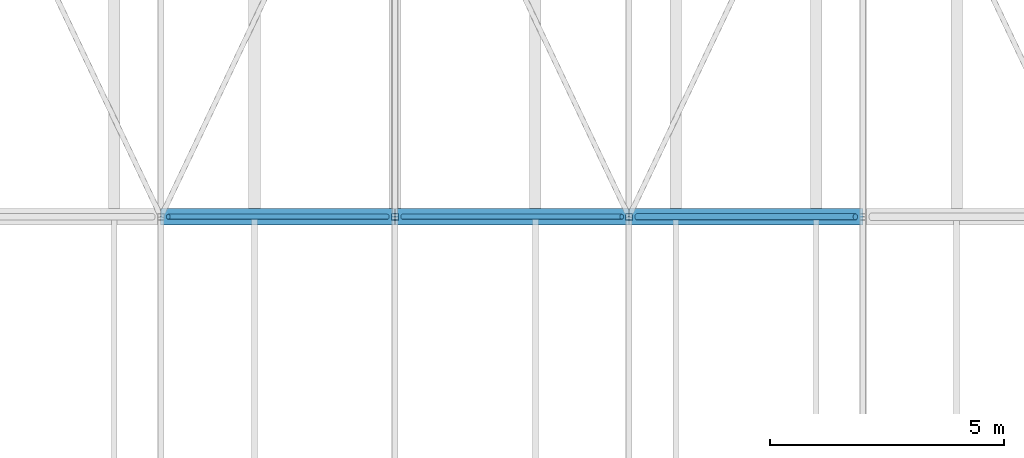
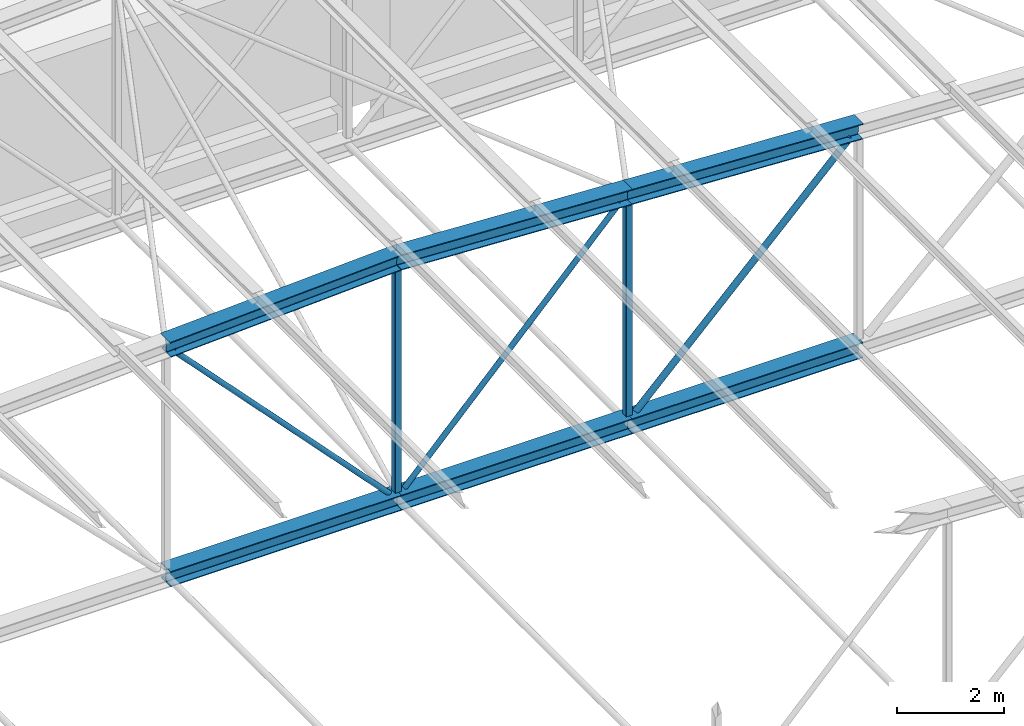
# One storey, part 114 of 156: 11 members.
"""IFC4 building model written with IfcOpenShell, lengths in metres."""

from ifc_helpers import new_model, si_unit, direction, frame, origin, origin_2d, place, context, subcontext, project, spatial, hollow_rectangle, hollow_circle, i_section, extrude, material, material_profile, profile_set, type_object, element, save


model = new_model("IFC4")

# Units and contexts
model_context = context("Model", 3, precision=1e-05, world=origin(), true_north=direction((0.0, 1.0)))
body_context = subcontext(model_context, "Body", "Model", "MODEL_VIEW")
ifc_project = project(units=[si_unit("LENGTHUNIT", "METRE"), si_unit("AREAUNIT", "SQUARE_METRE"), si_unit("VOLUMEUNIT", "CUBIC_METRE"), si_unit("PLANEANGLEUNIT", "RADIAN"), si_unit("MASSUNIT", "GRAM", prefix="KILO")], contexts=[model_context])

# Site, building, storey
site_placement = place(None, origin())
site = spatial("IfcSite", under=ifc_project, at=site_placement, CompositionType="ELEMENT")
building_placement = place(site_placement, origin())
building = spatial("IfcBuilding", under=site, at=building_placement, Name="Lilac Gate Convention Centre", CompositionType="ELEMENT")
storey_placement = place(building_placement, frame((0.0, 0.0, 17.0)))
storey = spatial("IfcBuildingStorey", under=building, at=storey_placement, Name="L03", CompositionType="ELEMENT", Elevation=17.0)

# Members
ifc_material = material(Name="Steel Q355B", Category="steel")
ifc_material_profile_1 = material_profile(ifc_material, i_section(OverallWidth=0.35693359375, OverallDepth=0.35009765625, WebThickness=0.01904296875, FlangeThickness=0.01904296875, FilletRadius=0.012939453125, at=origin_2d()), Name="HW350x357x19x19")
ifc_profile_set_1 = profile_set([ifc_material_profile_1], Name="Steel Q355B")
member_type_1 = type_object("IfcMemberType", Name="Truss bottom chord HW350x357x19x19", PredefinedType="CHORD", material=ifc_profile_set_1)
for number, where, z_axis, x_axis, name in (
    (1, (55.0, 210.0, 0.0), (1.0, 0.0, 0.0), (0.0, 1.0, 0.0), "TB3 truss 16 bottom chord 6"),
    (2, (60.0, 210.0, 0.0), (1.0, 0.0, 0.0), (0.0, 1.0, 0.0), "TB3 truss 16 bottom chord 7"),
    (3, (65.0, 210.0, 0.0), (1.0, 0.0, 0.0), (0.0, 1.0, 0.0), "TB3 truss 16 bottom chord 8"),
):
    element("IfcMember", number, at=place(storey_placement, frame(where, z_axis=z_axis, x_axis=x_axis)), inside=storey, type_object=member_type_1, Name=name, PredefinedType="CHORD", context=body_context, shape_type="SweptSolid", body=[
        extrude(i_section(OverallWidth=0.35693359375, OverallDepth=0.35009765625, WebThickness=0.01904296875, FlangeThickness=0.01904296875, FilletRadius=0.012939453125, at=origin_2d()), origin(), (0.0, 0.0, 1.0), 5.0),
    ])
ifc_material_profile_2 = material_profile(ifc_material, hollow_circle(Radius=0.05712890625, WallThickness=0.0048828125, at=origin_2d()), Name="CHS114.3x5")
ifc_profile_set_2 = profile_set([ifc_material_profile_2], Name="Steel Q355B")
member_type_2 = type_object("IfcMemberType", Name="Truss diagonal CHS114.3x5", PredefinedType="BRACE", material=ifc_profile_set_2)
for number, where, z_axis, x_axis, name in (
    (4, (55.156494140625, 210.0, 5.085693359375), (0.6896515765, 0.0, -0.724141355697), (0.0, 1.0, 0.0), "TW6 truss 16 diagonal 6"),
    (5, (64.843505859375, 210.0, 5.085693359375), (-0.6896515765, 0.0, -0.724141355697), (0.0, -1.0, 0.0), "TW6 truss 16 diagonal 7"),
):
    element("IfcMember", number, at=place(storey_placement, frame(where, z_axis=z_axis, x_axis=x_axis)), inside=storey, type_object=member_type_2, Name=name, PredefinedType="BRACE", context=body_context, shape_type="SweptSolid", body=[
        extrude(hollow_circle(Radius=0.05712890625, WallThickness=0.0048828125, at=origin_2d()), origin(), (0.0, 0.0, 1.0), 6.78125),
    ])
ifc_material_profile_3 = material_profile(ifc_material, hollow_circle(Radius=0.06982421875, WallThickness=0.006103515625, at=origin_2d()), Name="CHS139.7x6")
ifc_profile_set_3 = profile_set([ifc_material_profile_3], Name="Steel Q355B")
member_type_3 = type_object("IfcMemberType", Name="Truss diagonal CHS139.7x6", PredefinedType="BRACE", material=ifc_profile_set_3)
member_1_placement = place(storey_placement, frame((69.835693359375, 210.0, 4.835693359375), z_axis=(-0.707106781187, 0.0, -0.707106781187), x_axis=(0.0, -1.0, 0.0)))
element("IfcMember", 6, at=member_1_placement, inside=storey, type_object=member_type_3, Name="TW5 truss 16 diagonal 8", PredefinedType="BRACE", context=body_context, shape_type="SweptSolid", body=[
    extrude(hollow_circle(Radius=0.06982421875, WallThickness=0.006103515625, at=origin_2d()), origin(), (0.0, 0.0, 1.0), 6.591064453125),
])
ifc_material_profile_4 = material_profile(ifc_material, i_section(OverallWidth=0.35009765625, OverallDepth=0.35009765625, WebThickness=0.011962890625, FlangeThickness=0.01904296875, FilletRadius=0.012939453125, at=origin_2d()), Name="HW350x350x12x19")
ifc_profile_set_4 = profile_set([ifc_material_profile_4], Name="Steel Q355B")
member_type_4 = type_object("IfcMemberType", Name="Truss top chord HW350x350x12x19", PredefinedType="CHORD", material=ifc_profile_set_4)
member_2_placement = place(storey_placement, frame((65.0, 210.0, 5.25), z_axis=(0.998752338878, 0.0, -0.049937616944), x_axis=(0.0, 1.0, 0.0)))
element("IfcMember", 7, at=member_2_placement, inside=storey, type_object=member_type_4, Name="TT2 truss 16 top chord 8", PredefinedType="CHORD", context=body_context, shape_type="SweptSolid", body=[
    extrude(i_section(OverallWidth=0.35009765625, OverallDepth=0.35009765625, WebThickness=0.011962890625, FlangeThickness=0.01904296875, FilletRadius=0.012939453125, at=origin_2d()), origin(), (0.0, 0.0, 1.0), 5.00634765625),
])
ifc_material_profile_5 = material_profile(ifc_material, i_section(OverallWidth=0.35693359375, OverallDepth=0.35009765625, WebThickness=0.01904296875, FlangeThickness=0.01904296875, FilletRadius=0.012939453125, at=origin_2d()), Name="HW350x357x19x19")
ifc_profile_set_5 = profile_set([ifc_material_profile_5], Name="Steel Q355B")
member_type_5 = type_object("IfcMemberType", Name="Truss top chord HW350x357x19x19", PredefinedType="CHORD", material=ifc_profile_set_5)
for number, where, z_axis, x_axis, name in (
    (8, (55.0, 210.0, 5.25), (0.998752338878, 0.0, 0.049937616944), (0.0, 1.0, 0.0), "TT3 truss 16 top chord 6"),
    (9, (60.0, 210.0, 5.5), (0.998752338878, 0.0, -0.049937616944), (0.0, 1.0, 0.0), "TT3 truss 16 top chord 7"),
):
    element("IfcMember", number, at=place(storey_placement, frame(where, z_axis=z_axis, x_axis=x_axis)), inside=storey, type_object=member_type_5, Name=name, PredefinedType="CHORD", context=body_context, shape_type="SweptSolid", body=[
        extrude(i_section(OverallWidth=0.35693359375, OverallDepth=0.35009765625, WebThickness=0.01904296875, FlangeThickness=0.01904296875, FilletRadius=0.012939453125, at=origin_2d()), origin(), (0.0, 0.0, 1.0), 5.00634765625),
    ])
ifc_material_profile_6 = material_profile(ifc_material, hollow_rectangle(XDim=0.139892578125, YDim=0.139892578125, WallThickness=0.0048828125, InnerFilletRadius=0.0048828125, OuterFilletRadius=0.010009765625, at=origin_2d()), Name="SHS140x140x5")
ifc_profile_set_6 = profile_set([ifc_material_profile_6], Name="Steel Q355B")
member_type_6 = type_object("IfcMemberType", Name="Truss vertical SHS140x140x5", PredefinedType="STRUT", material=ifc_profile_set_6)
member_3_placement = place(storey_placement, frame((60.0, 210.0, 0.175048828125), z_axis=(0.0, 0.0, 1.0), x_axis=(1.0, 0.0, 0.0)))
element("IfcMember", 10, at=member_3_placement, inside=storey, type_object=member_type_6, Name="TV4 truss 16 vertical 7", PredefinedType="STRUT", context=body_context, shape_type="SweptSolid", body=[
    extrude(hollow_rectangle(XDim=0.139892578125, YDim=0.139892578125, WallThickness=0.0048828125, InnerFilletRadius=0.0048828125, OuterFilletRadius=0.010009765625, at=origin_2d()), origin(), (0.0, 0.0, 1.0), 5.149658203125),
])
member_4_placement = place(storey_placement, frame((65.0, 210.0, 0.175048828125), z_axis=(0.0, 0.0, 1.0), x_axis=(1.0, 0.0, 0.0)))
element("IfcMember", 11, at=member_4_placement, inside=storey, type_object=member_type_6, Name="TV4 truss 16 vertical 8", PredefinedType="STRUT", context=body_context, shape_type="SweptSolid", body=[
    extrude(hollow_rectangle(XDim=0.139892578125, YDim=0.139892578125, WallThickness=0.0048828125, InnerFilletRadius=0.0048828125, OuterFilletRadius=0.010009765625, at=origin_2d()), origin(), (0.0, 0.0, 1.0), 4.899658203125),
])

save(model, "model.ifc")
